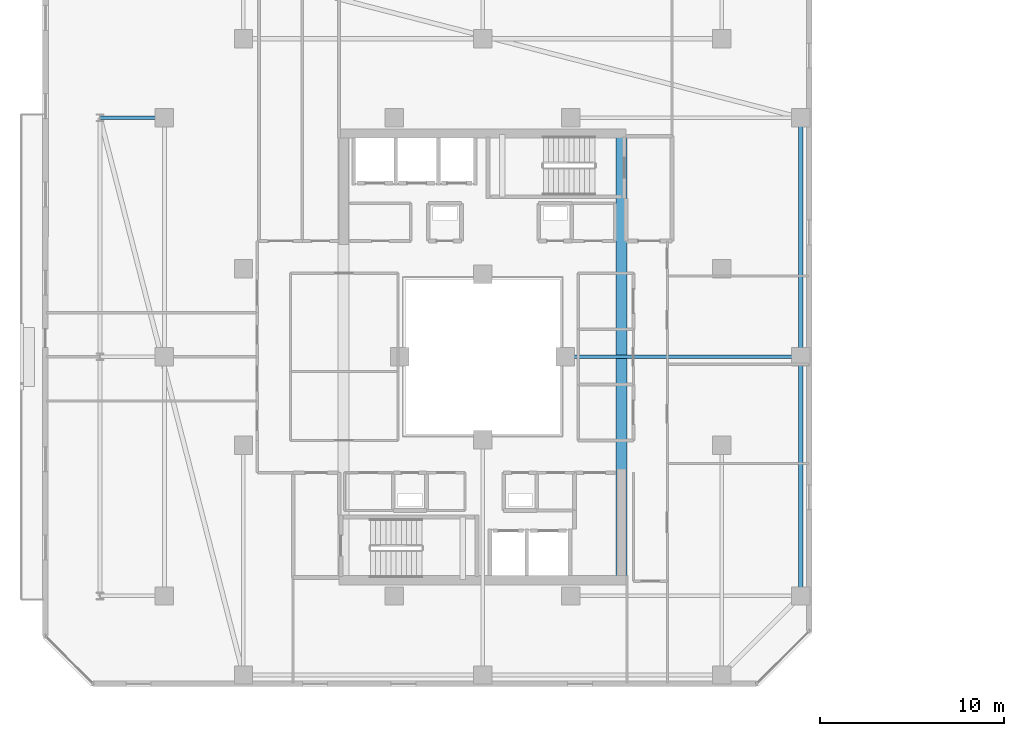
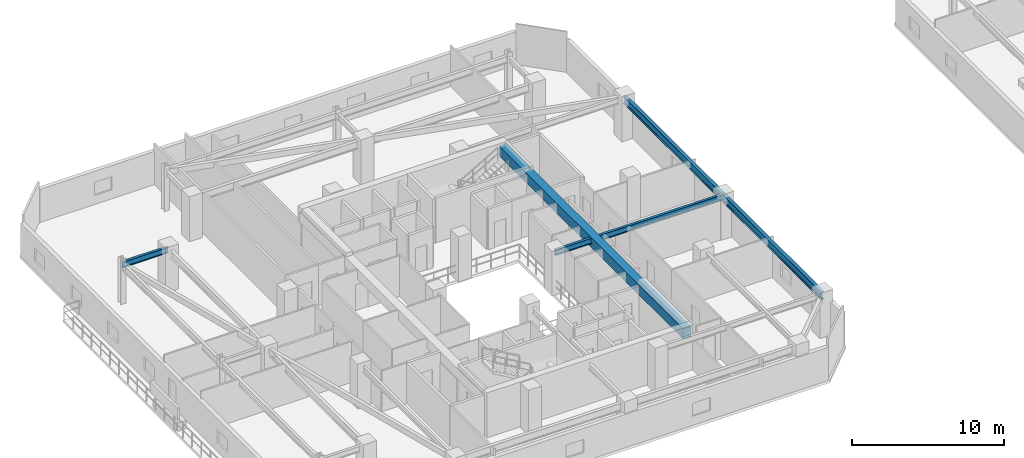
# One storey, part 6 of 33: 5 beams.
"""IFC4 building model written with IfcOpenShell, lengths in metres."""

from ifc_helpers import new_model, si_unit, direction, frame, origin, origin_2d, place, context, subcontext, project, spatial, rectangle, i_section, extrude, material, material_profile, profile_set, type_object, element, save


model = new_model("IFC4")

# Units and contexts
model_context = context("Model", 3, precision=1e-05, world=origin(), true_north=direction((0.0, 1.0)))
body_context = subcontext(model_context, "Body", "Model", "MODEL_VIEW")
ifc_project = project(units=[si_unit("LENGTHUNIT", "METRE"), si_unit("AREAUNIT", "SQUARE_METRE"), si_unit("VOLUMEUNIT", "CUBIC_METRE"), si_unit("PLANEANGLEUNIT", "RADIAN"), si_unit("MASSUNIT", "GRAM", prefix="KILO")], contexts=[model_context])

# Site, building, storey
site_placement = place(None, origin())
site = spatial("IfcSite", under=ifc_project, at=site_placement, CompositionType="ELEMENT")
building_placement = place(site_placement, origin())
building = spatial("IfcBuilding", under=site, at=building_placement, Name="Thornwick Lancets Civic Towers", CompositionType="ELEMENT")
storey_placement = place(building_placement, frame((0.0, 0.0, 218.10009765625)))
storey = spatial("IfcBuildingStorey", under=building, at=storey_placement, Name="L58", CompositionType="ELEMENT", Elevation=218.10009765625)

# Beams
ifc_material_1 = material(Name="Concrete C60/75", Category="concrete")
ifc_material_profile_1 = material_profile(ifc_material_1, rectangle(XDim=0.60009765625, YDim=0.800048828125, at=origin_2d()), Name="RC 600x800")
ifc_profile_set_1 = profile_set([ifc_material_profile_1], Name="Concrete C60/75")
beam_type_1 = type_object("IfcBeamType", Name="BM_COUP_RC800", PredefinedType="BEAM", material=ifc_profile_set_1)
beam_1_placement = place(storey_placement, frame((33.050048828125, 14.89990234375, 2.8798828125), z_axis=(0.0, 1.0, 0.0), x_axis=(-1.0, 0.0, 0.0)))
element("IfcBeam", 1, at=beam_1_placement, inside=storey, type_object=beam_type_1, Name="CB-L58-A1", PredefinedType="BEAM", context=body_context, shape_type="SweptSolid", body=[
    extrude(rectangle(XDim=0.60009765625, YDim=0.800048828125, at=origin_2d()), origin(), (0.0, 0.0, 1.0), 24.2001953125),
])
ifc_material_2 = material(Name="Steel S355JR", Category="steel")
ifc_material_profile_2 = material_profile(ifc_material_2, i_section(OverallWidth=0.230224609375, OverallDepth=0.6171875, WebThickness=0.01318359375, FlangeThickness=0.022216796875, FilletRadius=0.0126953125, at=origin_2d()), Name="UKB 610x229x140")
ifc_profile_set_2 = profile_set([ifc_material_profile_2], Name="Steel S355JR")
beam_type_2 = type_object("IfcBeamType", Name="BM_GIRD_610_140", PredefinedType="BEAM", material=ifc_profile_set_2)
beam_2_placement = place(storey_placement, frame((42.800048828125, 14.0, 2.97119140625), z_axis=(0.0, 1.0, 0.0), x_axis=(-1.0, 0.0, 0.0)))
element("IfcBeam", 2, at=beam_2_placement, inside=storey, type_object=beam_type_2, Name="BM-SPINE-L58-A-3-4", PredefinedType="BEAM", context=body_context, shape_type="SweptSolid", body=[
    extrude(i_section(OverallWidth=0.230224609375, OverallDepth=0.6171875, WebThickness=0.01318359375, FlangeThickness=0.022216796875, FilletRadius=0.0126953125, at=origin_2d()), origin(), (0.0, 0.0, 1.0), 13.0),
])
beam_3_placement = place(storey_placement, frame((42.800048828125, 27.080078125, 2.97119140625), z_axis=(0.0, 1.0, 0.0), x_axis=(-1.0, 0.0, 0.0)))
element("IfcBeam", 3, at=beam_3_placement, inside=storey, type_object=beam_type_2, Name="BM-SPINE-L58-A-4-5", PredefinedType="BEAM", context=body_context, shape_type="SweptSolid", body=[
    extrude(i_section(OverallWidth=0.230224609375, OverallDepth=0.6171875, WebThickness=0.01318359375, FlangeThickness=0.022216796875, FilletRadius=0.0126953125, at=origin_2d()), origin(), (0.0, 0.0, 1.0), 12.919921875),
])
ifc_material_profile_3 = material_profile(ifc_material_2, i_section(OverallWidth=0.19189453125, OverallDepth=0.46337890625, WebThickness=0.010498046875, FlangeThickness=0.017578125, FilletRadius=0.01025390625, at=origin_2d()), Name="UKB 457x191x89")
ifc_profile_set_3 = profile_set([ifc_material_profile_3], Name="Steel S355JR")
beam_type_3 = type_object("IfcBeamType", Name="BM_JOIST_457_89", PredefinedType="JOIST", material=ifc_profile_set_3)
beam_4_placement = place(storey_placement, frame((30.0, 27.0, 3.048095703125), z_axis=(1.0, 0.0, 0.0), x_axis=(0.0, 1.0, 0.0)))
element("IfcBeam", 4, at=beam_4_placement, inside=storey, type_object=beam_type_3, Name="BM-RADIN-L58-A05", PredefinedType="JOIST", context=body_context, shape_type="SweptSolid", body=[
    extrude(i_section(OverallWidth=0.19189453125, OverallDepth=0.46337890625, WebThickness=0.010498046875, FlangeThickness=0.017578125, FilletRadius=0.01025390625, at=origin_2d()), origin(), (0.0, 0.0, 1.0), 12.800048828125),
])
beam_5_placement = place(storey_placement, frame((8.199951171875, 40.0, 3.048095703125), z_axis=(-1.0, 0.0, 0.0), x_axis=(0.0, -1.0, 0.0)))
element("IfcBeam", 5, at=beam_5_placement, inside=storey, type_object=beam_type_3, Name="BM-RAD-L58-A12", PredefinedType="JOIST", context=body_context, shape_type="SweptSolid", body=[
    extrude(i_section(OverallWidth=0.19189453125, OverallDepth=0.46337890625, WebThickness=0.010498046875, FlangeThickness=0.017578125, FilletRadius=0.01025390625, at=origin_2d()), origin(), (0.0, 0.0, 1.0), 3.5),
])

save(model, "model.ifc")
